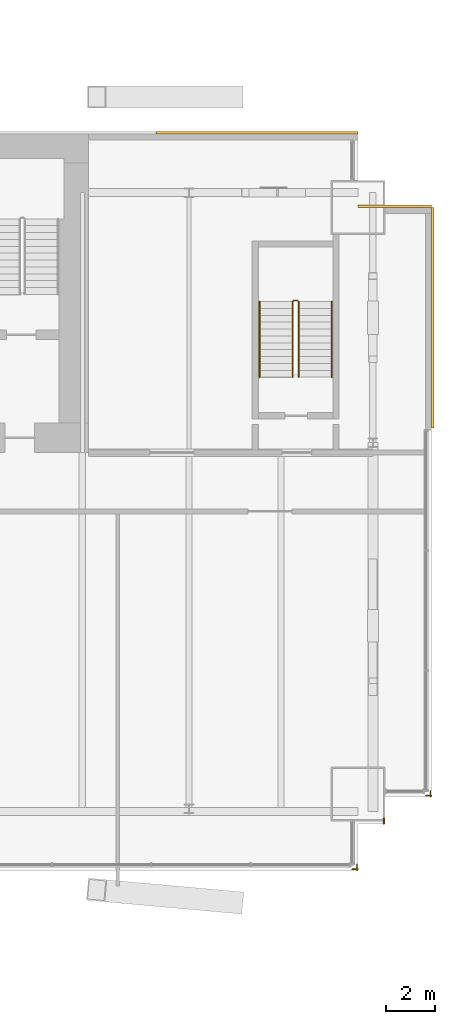
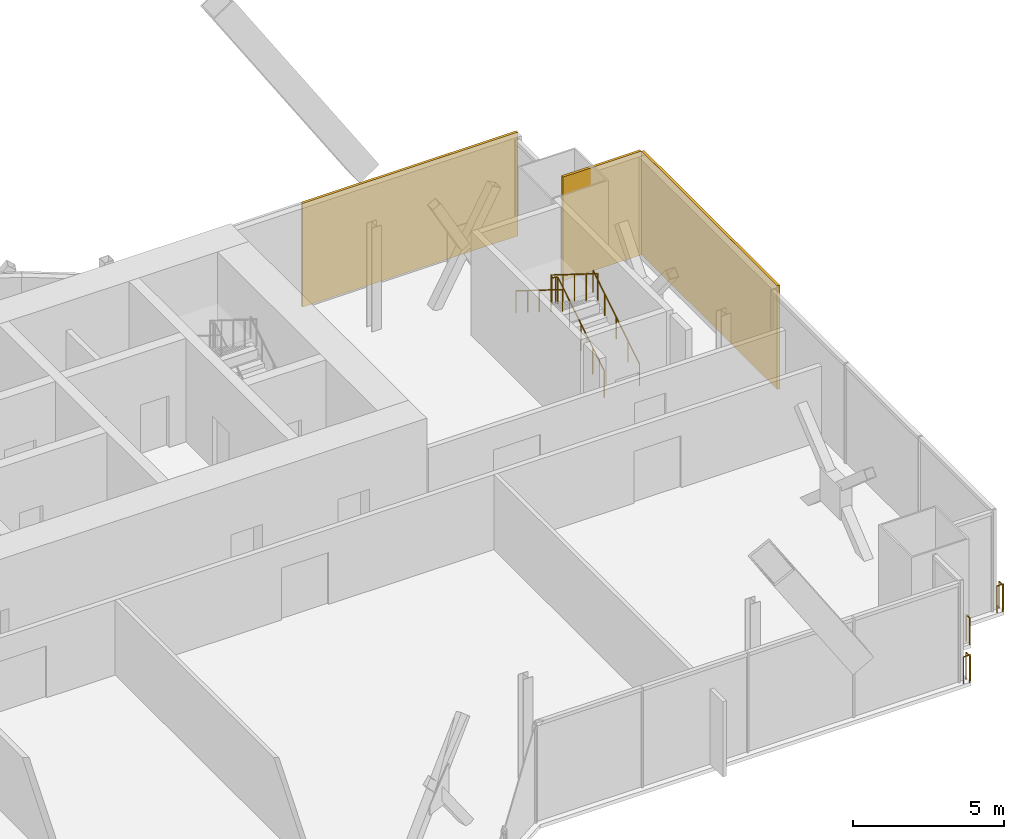
# One storey, part 20 of 20: 6 railings, 3 coverings.
"""IFC4 building model written with IfcOpenShell, lengths in metres."""

import ifcopenshell
import ifcopenshell.guid

model = None  # the IFC model being written
_history = None  # IfcOwnerHistory: only IFC2X3 demands one
_inside = {}  # id of a spatial element -> (the spatial element, [elements in it])
_under = {}  # id of a project, library or spatial element -> (it, [spatial elements below it])
_declared = {}  # id of a project -> (the project, [libraries it declares])
_typed = {}  # id of a type object -> (the type object, [elements of that type])
_made_of = {}  # id of a material, layer set ... -> (it, [elements and type objects made of it])


def new_model(schema):
    """Start an empty IFC model of exactly this schema.

    Asked for "IFC4X3", IfcOpenShell would pick the latest addendum, in which some entities
    have other attributes; the version numbers below select the first issue.
    IFC2X3 requires an IfcOwnerHistory on every rooted entity: one is made here for all.
    """
    global model, _history
    if schema == "IFC4X3":
        model = ifcopenshell.file(schema_version=(4, 3, 0, 0))
    else:
        model = ifcopenshell.file(schema=schema)
    _inside.clear()
    _under.clear()
    _declared.clear()
    _typed.clear()
    _made_of.clear()
    _history = None
    if model.schema == "IFC2X3":
        org = make("IfcOrganization", Name="unknown")
        user = make(
            "IfcPersonAndOrganization",
            ThePerson=make("IfcPerson", FamilyName="unknown"),
            TheOrganization=org,
        )
        app = make(
            "IfcApplication",
            ApplicationDeveloper=org,
            Version="unknown",
            ApplicationFullName="unknown",
            ApplicationIdentifier="unknown",
        )
        _history = make(
            "IfcOwnerHistory",
            OwningUser=user,
            OwningApplication=app,
            ChangeAction="ADDED",
            CreationDate=0,
        )
    return model


def make(cls, **values):
    """One entity of the class cls with the attributes given. An attribute that is None is left unset."""
    return model.create_entity(
        cls, **{name: value for name, value in values.items() if value is not None}
    )


def rooted(cls, **values):
    """An entity with a GlobalId (a new one), such as an element, a storey or a relation."""
    return make(cls, GlobalId=ifcopenshell.guid.new(), OwnerHistory=_history, **values)


def si_unit(unit_type, name, prefix=None):
    """IfcSIUnit, for example si_unit("LENGTHUNIT", "METRE", prefix="MILLI")."""
    return make("IfcSIUnit", UnitType=unit_type, Prefix=prefix, Name=name)


def assignment(units):
    """IfcUnitAssignment: the units of a project."""
    return None if units is None else make("IfcUnitAssignment", Units=units)


def point(xyz):
    """IfcCartesianPoint."""
    return None if xyz is None else make("IfcCartesianPoint", Coordinates=xyz)


def direction(xyz):
    """IfcDirection."""
    return None if xyz is None else make("IfcDirection", DirectionRatios=xyz)


def frame(location, z_axis=None, x_axis=None):
    """IfcAxis2Placement3D, a coordinate frame: its origin and axes. An axis left out is left unset."""
    return make(
        "IfcAxis2Placement3D",
        Location=point(location),
        Axis=direction(z_axis),
        RefDirection=direction(x_axis),
    )


def frame_2d(location, x_axis=None):
    """IfcAxis2Placement2D, a coordinate frame in the plane: its origin and x axis."""
    return make(
        "IfcAxis2Placement2D", Location=point(location), RefDirection=direction(x_axis)
    )


def origin():
    """The frame at (0, 0, 0) with its axes left unset."""
    return frame((0.0, 0.0, 0.0))


def origin_2d():
    """The frame at (0, 0) in the plane with its x axis left unset."""
    return frame_2d((0.0, 0.0))


def place(relative_to, where):
    """IfcLocalPlacement: puts the frame where relative to a parent placement (None: the world)."""
    return make(
        "IfcLocalPlacement", PlacementRelTo=relative_to, RelativePlacement=where
    )


def context(
    kind, dimensions, precision=None, world=None, true_north=None, identifier=None
):
    """IfcGeometricRepresentationContext, for example the 3D "Model" context."""
    return make(
        "IfcGeometricRepresentationContext",
        ContextIdentifier=identifier,
        ContextType=kind,
        CoordinateSpaceDimension=dimensions,
        Precision=precision,
        WorldCoordinateSystem=world,
        TrueNorth=true_north,
    )


def subcontext(parent, identifier, kind, view, scale=None):
    """IfcGeometricRepresentationSubContext, for example "Body" below "Model"."""
    return make(
        "IfcGeometricRepresentationSubContext",
        ContextIdentifier=identifier,
        ContextType=kind,
        ParentContext=parent,
        TargetScale=scale,
        TargetView=view,
    )


def project(units=None, contexts=None):
    """IfcProject with its units and contexts."""
    return rooted(
        "IfcProject",
        Name="project",
        RepresentationContexts=contexts,
        UnitsInContext=assignment(units),
    )


def spatial(cls, under=None, at=None, **own):
    """A site, building, storey or space (cls), placed at a placement, below another one or the project."""
    s = rooted(cls, ObjectPlacement=at, **own)
    if under is not None:
        _under.setdefault(under.id(), (under, []))[1].append(s)
    return s


def profile(cls, at=None, kind="AREA", **sizes):
    """A parametric profile (cls). Its sizes go by their IFC names, for example OverallWidth=200.0."""
    return make(cls, ProfileType=kind, Position=at, **sizes)


def rectangle(**sizes):
    """IfcRectangleProfileDef."""
    return profile("IfcRectangleProfileDef", **sizes)


def circle(**sizes):
    """IfcCircleProfileDef."""
    return profile("IfcCircleProfileDef", **sizes)


def extrude(swept, where, along, depth):
    """IfcExtrudedAreaSolid: the profile swept, set in the frame where, extruded along a direction by depth."""
    return make(
        "IfcExtrudedAreaSolid",
        SweptArea=swept,
        Position=where,
        ExtrudedDirection=direction(along),
        Depth=depth,
    )


def shape(context_of_items, identifier, shape_type, items):
    """IfcShapeRepresentation: the items that make up one representation, for example the "Body"."""
    return make(
        "IfcShapeRepresentation",
        ContextOfItems=context_of_items,
        RepresentationIdentifier=identifier,
        RepresentationType=shape_type,
        Items=items,
    )


def material(Name=None, Category=None):
    """IfcMaterial."""
    return make("IfcMaterial", Name=Name, Category=Category)


def layer(
    of_material, thickness, ventilated=None, Name=None, Category=None, Priority=None
):
    """IfcMaterialLayer: one layer of a wall or slab, of a material (None: an air gap)."""
    return make(
        "IfcMaterialLayer",
        Material=of_material,
        LayerThickness=thickness,
        IsVentilated=ventilated,
        Name=Name,
        Category=Category,
        Priority=Priority,
    )


def layer_set(layers, Name=None):
    """IfcMaterialLayerSet."""
    return make("IfcMaterialLayerSet", MaterialLayers=layers, LayerSetName=Name)


def made_of(thing, what):
    """Note that an element or type object is made of a material, layer set ...; save() writes the relation."""
    if what is not None:
        _made_of.setdefault(what.id(), (what, []))[1].append(thing)
    return thing


def type_object(cls, material=None, **own):
    """A type object (cls), such as IfcWallType, which elements share."""
    return made_of(rooted(cls, **own), material)


def element(
    cls,
    number,
    at=None,
    inside=None,
    cuts=None,
    type_object=None,
    material=None,
    context=None,
    identifier="Body",
    shape_type=None,
    held_by="IfcProductDefinitionShape",
    body=None,
    shapes=None,
    **own,
):
    """One element of the class cls, such as IfcWall. Its Tag is "e" and its number.

    at: its placement. inside: the storey or other place that contains it. cuts: it is an
    opening in that element (IfcRelVoidsElement). A single representation is given by context,
    identifier, shape_type and body (its items); several are given by shapes. held_by: the class
    of the entity that holds the representations. save() writes the other relations.
    """
    e = rooted(cls, Tag="e%d" % number, ObjectPlacement=at, **own)
    if body is not None:
        shapes = [shape(context, identifier, shape_type, body)]
    if shapes is not None:
        e.Representation = make(held_by, Representations=shapes)
    if inside is not None:
        _inside.setdefault(inside.id(), (inside, []))[1].append(e)
    if cuts is not None:
        rooted(
            "IfcRelVoidsElement", RelatingBuildingElement=cuts, RelatedOpeningElement=e
        )
    if type_object is not None:
        _typed.setdefault(type_object.id(), (type_object, []))[1].append(e)
    return made_of(e, material)


def aggregate(whole, parts):
    """IfcRelAggregates: a whole, such as a stair, and the parts it consists of."""
    return rooted("IfcRelAggregates", RelatingObject=whole, RelatedObjects=parts)


def save(model, path):
    """Write the relations noted so far, then the file.

    IfcRelAggregates (storeys below a building ...), IfcRelContainedInSpatialStructure (elements
    in a storey), IfcRelDefinesByType, IfcRelAssociatesMaterial and IfcRelDeclares: one each for
    every whole, place, type object, material and project.
    """
    for whole, parts in _under.values():
        aggregate(whole, parts)
    for where, things in _inside.values():
        rooted(
            "IfcRelContainedInSpatialStructure",
            RelatedElements=things,
            RelatingStructure=where,
        )
    for kind, things in _typed.values():
        rooted("IfcRelDefinesByType", RelatedObjects=things, RelatingType=kind)
    for what, things in _made_of.values():
        rooted("IfcRelAssociatesMaterial", RelatedObjects=things, RelatingMaterial=what)
    for by, libraries in _declared.values():
        rooted("IfcRelDeclares", RelatingContext=by, RelatedDefinitions=libraries)
    model.write(path)


model = new_model("IFC4")

# Units and contexts
model_context = context("Model", 3, precision=1e-05, world=origin(), true_north=direction((0.0, 1.0)))
body_context = subcontext(model_context, "Body", "Model", "MODEL_VIEW")
ifc_project = project(units=[si_unit("LENGTHUNIT", "METRE"), si_unit("AREAUNIT", "SQUARE_METRE"), si_unit("VOLUMEUNIT", "CUBIC_METRE"), si_unit("PLANEANGLEUNIT", "RADIAN"), si_unit("MASSUNIT", "GRAM", prefix="KILO")], contexts=[model_context])

# Site, building, storey
site_placement = place(None, origin())
site = spatial("IfcSite", under=ifc_project, at=site_placement, CompositionType="ELEMENT")
building_placement = place(site_placement, origin())
building = spatial("IfcBuilding", under=site, at=building_placement, Name="Bicima Exchange Tower", CompositionType="ELEMENT")
storey_placement = place(building_placement, frame((0.0, 0.0, 245.60009765625)))
storey = spatial("IfcBuildingStorey", under=building, at=storey_placement, Name="L55", CompositionType="ELEMENT", Elevation=245.60009765625)

# Coverings
ifc_material_1 = material(Name="Bronze metal cladding")
ifc_layer_1 = layer(ifc_material_1, 0.004)
ifc_material_2 = material(Name="Ventilated cavity")
ifc_layer_2 = layer(ifc_material_2, 0.06)
ifc_material_3 = material(Name="Galvanised steel rail and mineral wool", Category="steel")
ifc_layer_3 = layer(ifc_material_3, 0.036)
ifc_layer_set = layer_set([ifc_layer_1, ifc_layer_2, ifc_layer_3], Name="Ventilated cavity")
covering_type = type_object("IfcCoveringType", Name="Bronze metal cladding panel 100", PredefinedType="CLADDING", material=ifc_layer_set)
covering_1_placement = place(storey_placement, frame((28.875, 0.050048828125, -0.14990234375), z_axis=(0.0, 0.0, 1.0), x_axis=(-1.0, 0.0, 0.0)))
element("IfcCovering", 1, at=covering_1_placement, inside=storey, type_object=covering_type, Name="Bronze cladding L55 1.1", PredefinedType="CLADDING", context=body_context, shape_type="SweptSolid", body=[
    extrude(rectangle(XDim=8.25, YDim=0.10009765625, at=origin_2d()), origin(), (0.0, 0.0, 1.0), 4.199951171875),
])
covering_2_placement = place(storey_placement, frame((36.050048828125, -7.5, -0.14990234375), z_axis=(0.0, 0.0, 1.0), x_axis=(0.0, 1.0, 0.0)))
element("IfcCovering", 2, at=covering_2_placement, inside=storey, type_object=covering_type, Name="Bronze cladding L55 50.1", PredefinedType="CLADDING", context=body_context, shape_type="SweptSolid", body=[
    extrude(rectangle(XDim=9.0, YDim=0.10009765625, at=origin_2d()), origin(), (0.0, 0.0, 1.0), 4.199951171875),
])
covering_3_placement = place(storey_placement, frame((34.5, -2.949951171875, -0.14990234375), z_axis=(0.0, 0.0, 1.0), x_axis=(-1.0, 0.0, 0.0)))
element("IfcCovering", 3, at=covering_3_placement, inside=storey, type_object=covering_type, Name="Bronze cladding L55 51.1", PredefinedType="CLADDING", context=body_context, shape_type="SweptSolid", body=[
    extrude(rectangle(XDim=3.0, YDim=0.10009765625, at=origin_2d()), origin(), (0.0, 0.0, 1.0), 4.199951171875),
])

# Railings
ifc_material_4 = material(Name="Stainless steel and bonded safety glass", Category="steel")
railing_type_1 = type_object("IfcRailingType", Name="Edge guard 1100", PredefinedType="GUARDRAIL", material=ifc_material_4)
railing_1_placement = place(storey_placement, frame((35.949951171875, -26.7958984375, 0.0)))
element("IfcRailing", 4, at=railing_1_placement, inside=storey, type_object=railing_type_1, Name="Edge guard L55 278", PredefinedType="GUARDRAIL", context=body_context, shape_type="SweptSolid", body=[
    extrude(circle(Radius=0.02392578125, at=origin_2d()), frame((0.0, 0.0, 1.076171875), z_axis=(0.0, -1.0, 0.0), x_axis=(1.0, 0.0, 0.0)), (0.0, 0.0, 1.0), 0.248046875),
    extrude(circle(Radius=0.02392578125, at=origin_2d()), frame((0.0, -0.248046875, 1.076171875), z_axis=(0.707106781187, 0.707106781187, 0.0), x_axis=(-0.707106781187, 0.707106781187, 0.0)), (0.0, 0.0, 1.0), 0.07080078125),
    extrude(circle(Radius=0.02392578125, at=origin_2d()), frame((0.050048828125, -0.197998046875, 1.076171875), z_axis=(-1.0, 0.0, 0.0), x_axis=(0.0, -1.0, 0.0)), (0.0, 0.0, 1.0), 0.237060546875),
    extrude(circle(Radius=0.02099609375, at=origin_2d()), origin(), (0.0, 0.0, 1.0), 1.052001953125),
    extrude(circle(Radius=0.02099609375, at=origin_2d()), frame((0.0, -0.248046875, 0.0)), (0.0, 0.0, 1.0), 1.052001953125),
    extrude(circle(Radius=0.02099609375, at=origin_2d()), frame((0.050048828125, -0.197998046875, 0.0)), (0.0, 0.0, 1.0), 1.052001953125),
    extrude(circle(Radius=0.02099609375, at=origin_2d()), frame((-0.18701171875, -0.197998046875, 0.0)), (0.0, 0.0, 1.0), 1.052001953125),
])
railing_2_placement = place(storey_placement, frame((34.050048828125, -27.924072265625, 0.0)))
element("IfcRailing", 5, at=railing_2_placement, inside=storey, type_object=railing_type_1, Name="Edge guard L55 279", PredefinedType="GUARDRAIL", context=body_context, shape_type="SweptSolid", body=[
    extrude(circle(Radius=0.02392578125, at=origin_2d()), frame((0.0, 0.0, 1.076171875), z_axis=(0.0, -1.0, 0.0), x_axis=(1.0, 0.0, 0.0)), (0.0, 0.0, 1.0), 0.219970703125),
    extrude(circle(Radius=0.02099609375, at=origin_2d()), origin(), (0.0, 0.0, 1.0), 1.052001953125),
    extrude(circle(Radius=0.02099609375, at=origin_2d()), frame((0.0, -0.219970703125, 0.0)), (0.0, 0.0, 1.0), 1.052001953125),
])
railing_3_placement = place(storey_placement, frame((32.949951171875, -29.805908203125, 0.0)))
element("IfcRailing", 6, at=railing_3_placement, inside=storey, type_object=railing_type_1, Name="Edge guard L55 280", PredefinedType="GUARDRAIL", context=body_context, shape_type="SweptSolid", body=[
    extrude(circle(Radius=0.02392578125, at=origin_2d()), frame((0.0, 0.0, 1.076171875), z_axis=(0.0, -1.0, 0.0), x_axis=(1.0, 0.0, 0.0)), (0.0, 0.0, 1.0), 0.238037109375),
    extrude(circle(Radius=0.02392578125, at=origin_2d()), frame((0.0, -0.238037109375, 1.076171875), z_axis=(0.707106781187, 0.707106781187, 0.0), x_axis=(-0.707106781187, 0.707106781187, 0.0)), (0.0, 0.0, 1.0), 0.07080078125),
    extrude(circle(Radius=0.02392578125, at=origin_2d()), frame((0.050048828125, -0.18798828125, 1.076171875), z_axis=(-1.0, 0.0, 0.0), x_axis=(0.0, -1.0, 0.0)), (0.0, 0.0, 1.0), 0.25),
    extrude(circle(Radius=0.02099609375, at=origin_2d()), origin(), (0.0, 0.0, 1.0), 1.052001953125),
    extrude(circle(Radius=0.02099609375, at=origin_2d()), frame((0.0, -0.238037109375, 0.0)), (0.0, 0.0, 1.0), 1.052001953125),
    extrude(circle(Radius=0.02099609375, at=origin_2d()), frame((0.050048828125, -0.18798828125, 0.0)), (0.0, 0.0, 1.0), 1.052001953125),
    extrude(circle(Radius=0.02099609375, at=origin_2d()), frame((-0.199951171875, -0.18798828125, 0.0)), (0.0, 0.0, 1.0), 1.052001953125),
])
ifc_material_5 = material(Name="Stainless steel", Category="steel")
railing_type_2 = type_object("IfcRailingType", Name="Stair guard 1100", PredefinedType="GUARDRAIL", material=ifc_material_5)
railing_4_placement = place(storey_placement, frame((30.574951171875, -9.925048828125, 0.1748046875)))
element("IfcRailing", 7, at=railing_4_placement, inside=storey, type_object=railing_type_2, Name="L55 ST-EE stair guard 1", PredefinedType="GUARDRAIL", context=body_context, shape_type="SweptSolid", body=[
    extrude(circle(Radius=0.02392578125, at=origin_2d()), frame((0.0, 0.0, 1.076171875), z_axis=(0.0, 0.847998304005, 0.529998940003), x_axis=(-1.0, 0.0, 0.0)), (0.0, 0.0, 1.0), 3.632080078125),
    extrude(circle(Radius=0.02392578125, at=origin_2d()), frame((0.0, 3.080078125, 3.0009765625), z_axis=(-0.707106781187, 0.707106781187, 0.0), x_axis=(-0.707106781187, -0.707106781187, 0.0)), (0.0, 0.0, 1.0), 0.07080078125),
    extrude(circle(Radius=0.02392578125, at=origin_2d()), frame((-0.050048828125, 3.130126953125, 3.0009765625), z_axis=(-1.0, 0.0, 0.0), x_axis=(0.0, -1.0, 0.0)), (0.0, 0.0, 1.0), 0.14990234375),
    extrude(circle(Radius=0.02392578125, at=origin_2d()), frame((-0.199951171875, 3.130126953125, 3.0009765625), z_axis=(-0.265065253269, -0.265065253269, 0.927081885822), x_axis=(0.707106781187, -0.707106781187, 0.0)), (0.0, 0.0, 1.0), 0.188720703125),
    extrude(circle(Radius=0.02392578125, at=origin_2d()), frame((-0.25, 3.080078125, 3.17626953125), z_axis=(0.0, -0.847998304005, 0.529998940003), x_axis=(1.0, 0.0, 0.0)), (0.0, 0.0, 1.0), 3.632080078125),
    extrude(circle(Radius=0.02099609375, at=origin_2d()), origin(), (0.0, 0.0, 1.0), 1.052001953125),
    extrude(circle(Radius=0.02099609375, at=origin_2d()), frame((0.0, 0.77001953125, 0.481201171875)), (0.0, 0.0, 1.0), 1.052001953125),
    extrude(circle(Radius=0.02099609375, at=origin_2d()), frame((0.0, 1.5400390625, 0.96240234375)), (0.0, 0.0, 1.0), 1.052001953125),
    extrude(circle(Radius=0.02099609375, at=origin_2d()), frame((0.0, 2.31005859375, 1.44384765625)), (0.0, 0.0, 1.0), 1.052001953125),
    extrude(circle(Radius=0.02099609375, at=origin_2d()), frame((0.0, 3.080078125, 1.925048828125)), (0.0, 0.0, 1.0), 1.052001953125),
    extrude(circle(Radius=0.02099609375, at=origin_2d()), frame((-0.050048828125, 3.130126953125, 1.925048828125)), (0.0, 0.0, 1.0), 1.052001953125),
    extrude(circle(Radius=0.02099609375, at=origin_2d()), frame((-0.199951171875, 3.130126953125, 1.925048828125)), (0.0, 0.0, 1.0), 1.052001953125),
    extrude(circle(Radius=0.02099609375, at=origin_2d()), frame((-0.25, 3.080078125, 2.10009765625)), (0.0, 0.0, 1.0), 1.052001953125),
    extrude(circle(Radius=0.02099609375, at=origin_2d()), frame((-0.25, 2.31005859375, 2.581298828125)), (0.0, 0.0, 1.0), 1.052001953125),
    extrude(circle(Radius=0.02099609375, at=origin_2d()), frame((-0.25, 1.5400390625, 3.0625)), (0.0, 0.0, 1.0), 1.052001953125),
    extrude(circle(Radius=0.02099609375, at=origin_2d()), frame((-0.25, 0.77001953125, 3.5439453125)), (0.0, 0.0, 1.0), 1.052001953125),
    extrude(circle(Radius=0.02099609375, at=origin_2d()), frame((-0.25, 0.0, 4.025146484375)), (0.0, 0.0, 1.0), 1.052001953125),
])
railing_type_3 = type_object("IfcRailingType", Name="Stair handrail 900", PredefinedType="HANDRAIL", material=ifc_material_5)
railing_5_placement = place(storey_placement, frame((31.925048828125, -9.925048828125, 0.1748046875)))
element("IfcRailing", 8, at=railing_5_placement, inside=storey, type_object=railing_type_3, Name="L55 ST-EE stair handrail 1", PredefinedType="HANDRAIL", context=body_context, shape_type="SweptSolid", body=[
    extrude(circle(Radius=0.02392578125, at=origin_2d()), frame((0.0, 0.0, 0.8759765625), z_axis=(0.0, 0.847998304005, 0.529998940003), x_axis=(-1.0, 0.0, 0.0)), (0.0, 0.0, 1.0), 3.632080078125),
    extrude(circle(Radius=0.02099609375, at=origin_2d()), origin(), (0.0, 0.0, 1.0), 0.851806640625),
    extrude(circle(Radius=0.02099609375, at=origin_2d()), frame((0.0, 0.77001953125, 0.481201171875)), (0.0, 0.0, 1.0), 0.851806640625),
    extrude(circle(Radius=0.02099609375, at=origin_2d()), frame((0.0, 1.5400390625, 0.96240234375)), (0.0, 0.0, 1.0), 0.851806640625),
    extrude(circle(Radius=0.02099609375, at=origin_2d()), frame((0.0, 2.31005859375, 1.44384765625)), (0.0, 0.0, 1.0), 0.851806640625),
    extrude(circle(Radius=0.02099609375, at=origin_2d()), frame((0.0, 3.080078125, 1.925048828125)), (0.0, 0.0, 1.0), 0.851806640625),
])
railing_6_placement = place(storey_placement, frame((28.97509765625, -6.844970703125, 2.303955078125)))
element("IfcRailing", 9, at=railing_6_placement, inside=storey, type_object=railing_type_3, Name="L55 ST-EE stair handrail 2", PredefinedType="HANDRAIL", context=body_context, shape_type="SweptSolid", body=[
    extrude(circle(Radius=0.02392578125, at=origin_2d()), frame((0.0, 0.0, 0.8759765625), z_axis=(0.0, -0.847998304005, 0.529998940003), x_axis=(1.0, 0.0, 0.0)), (0.0, 0.0, 1.0), 3.632080078125),
    extrude(circle(Radius=0.02099609375, at=origin_2d()), origin(), (0.0, 0.0, 1.0), 0.851806640625),
    extrude(circle(Radius=0.02099609375, at=origin_2d()), frame((0.0, -0.77001953125, 0.481201171875)), (0.0, 0.0, 1.0), 0.851806640625),
    extrude(circle(Radius=0.02099609375, at=origin_2d()), frame((0.0, -1.5400390625, 0.96240234375)), (0.0, 0.0, 1.0), 0.851806640625),
    extrude(circle(Radius=0.02099609375, at=origin_2d()), frame((0.0, -2.31005859375, 1.44384765625)), (0.0, 0.0, 1.0), 0.851806640625),
    extrude(circle(Radius=0.02099609375, at=origin_2d()), frame((0.0, -3.080078125, 1.925048828125)), (0.0, 0.0, 1.0), 0.851806640625),
])

save(model, "model.ifc")
